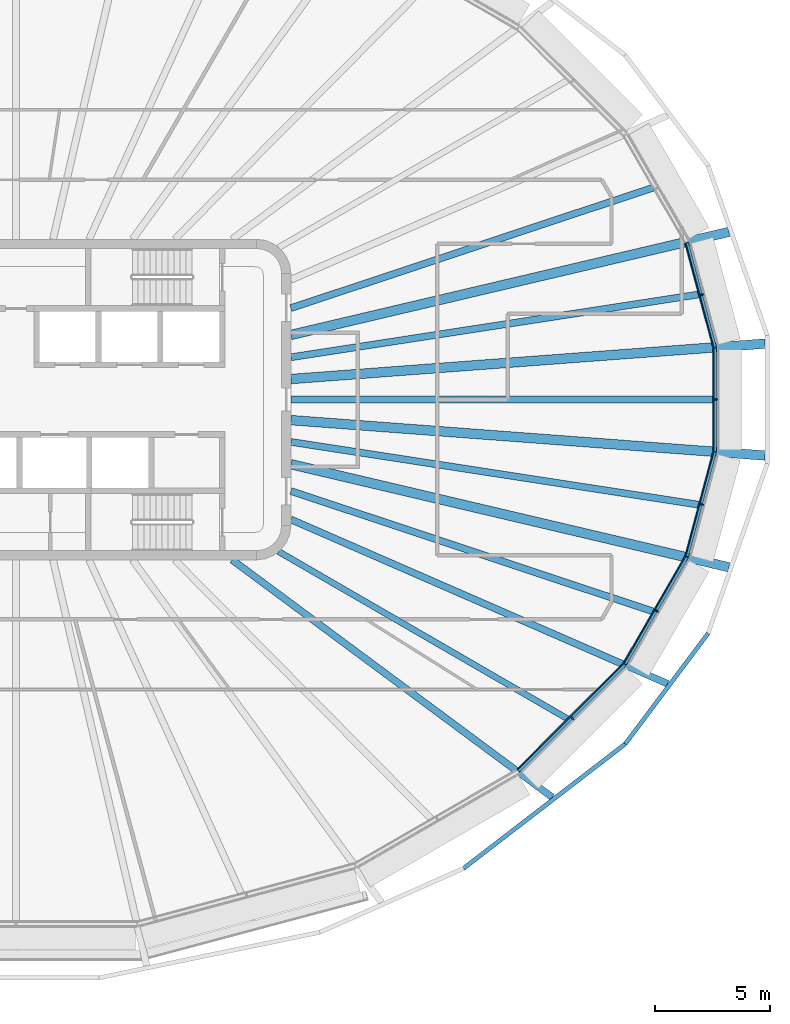
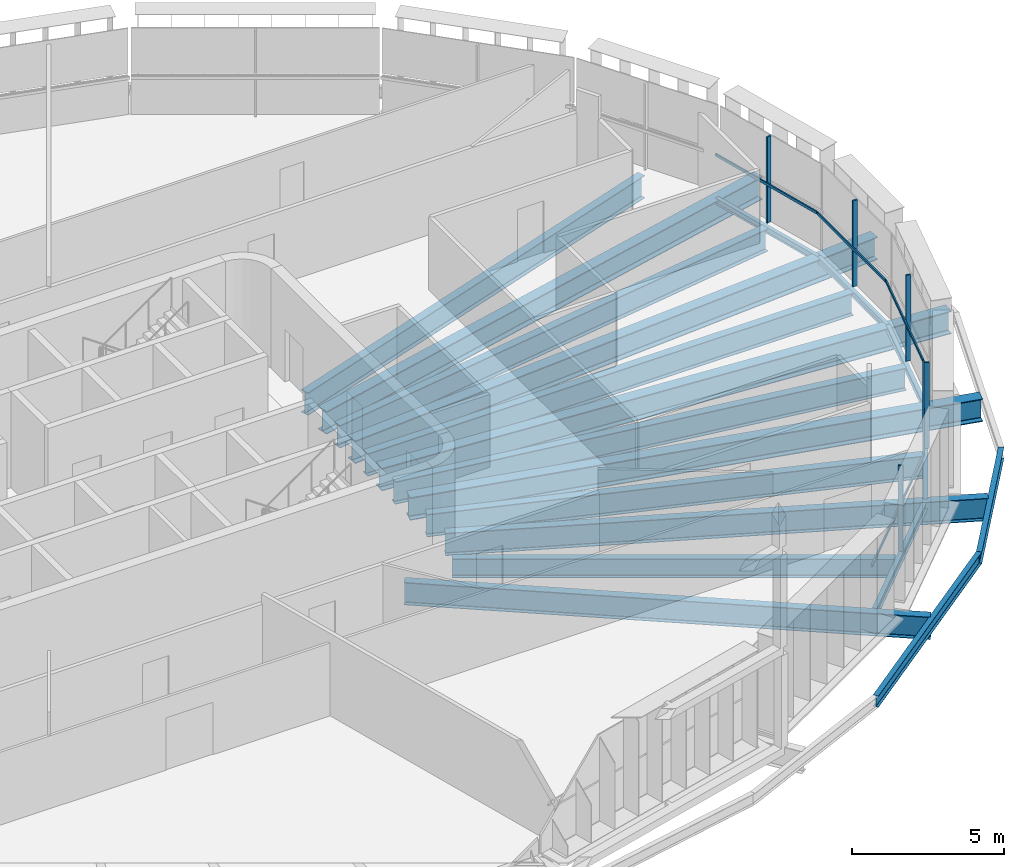
# One storey, part 4 of 20: 19 beams, 10 members, 5 elements without a shape of their own.
"""IFC4 building model written with IfcOpenShell, lengths in metres."""

from ifc_helpers import new_model, si_unit, direction, frame, origin, origin_2d, place, context, subcontext, project, spatial, rectangle, i_section, extrude, material, layer, layer_set, material_profile, profile_set, type_object, element, aggregate, save


model = new_model("IFC4")

# Units and contexts
model_context = context("Model", 3, precision=1e-05, world=origin(), true_north=direction((0.0, 1.0)))
body_context = subcontext(model_context, "Body", "Model", "MODEL_VIEW")
ifc_project = project(units=[si_unit("LENGTHUNIT", "METRE"), si_unit("AREAUNIT", "SQUARE_METRE"), si_unit("VOLUMEUNIT", "CUBIC_METRE"), si_unit("PLANEANGLEUNIT", "RADIAN"), si_unit("MASSUNIT", "GRAM", prefix="KILO")], contexts=[model_context])

# Site, building, storey
site_placement = place(None, origin())
site = spatial("IfcSite", under=ifc_project, at=site_placement, CompositionType="ELEMENT")
building_placement = place(site_placement, origin())
building = spatial("IfcBuilding", under=site, at=building_placement, Name="Sahrelin Media Tower", CompositionType="ELEMENT")
storey_placement = place(building_placement, frame((0.0, 0.0, 209.60009765625)))
storey = spatial("IfcBuildingStorey", under=building, at=storey_placement, Name="L44", CompositionType="ELEMENT", Elevation=209.60009765625)

# Beams
ifc_material_1 = material(Name="Steel S355", Category="steel")
ifc_material_profile_1 = material_profile(ifc_material_1, i_section(OverallWidth=0.14599609375, OverallDepth=0.25146484375, WebThickness=0.006103515625, FlangeThickness=0.008544921875, FilletRadius=0.007568359375, at=origin_2d()), Name="UB 254x146x31")
ifc_profile_set_1 = profile_set([ifc_material_profile_1], Name="Steel S355")
beam_type_1 = type_object("IfcBeamType", Name="Edge beam EB1", PredefinedType="BEAM", material=ifc_profile_set_1)
beam_1_placement = place(storey_placement, frame((30.515380859375, 2.257080078125, -0.27587890625), z_axis=(0.0, -1.0, 0.0), x_axis=(1.0, 0.0, 0.0)))
element("IfcBeam", 1, at=beam_1_placement, inside=storey, type_object=beam_type_1, Name="Edge beam L44-01", PredefinedType="BEAM", context=body_context, shape_type="SweptSolid", body=[
    extrude(i_section(OverallWidth=0.14599609375, OverallDepth=0.25146484375, WebThickness=0.006103515625, FlangeThickness=0.008544921875, FilletRadius=0.007568359375, at=origin_2d()), origin(), (0.0, 0.0, 1.0), 4.51416015625),
])
for number, where, z_axis, x_axis, name in (
    (2, (30.511474609375, -2.28564453125, -0.27587890625), (-0.258807552286, -0.965928905707, 0.0), (0.965928905707, -0.258807552286, 0.0), "Edge beam L44-02"),
    (3, (29.288818359375, 6.848876953125, -0.27587890625), (0.258807552286, -0.965928905707, 0.0), (0.965928905707, 0.258807552286, 0.0), "Edge beam L44-24"),
):
    element("IfcBeam", number, at=place(storey_placement, frame(where, z_axis=z_axis, x_axis=x_axis)), inside=storey, type_object=beam_type_1, Name=name, PredefinedType="BEAM", context=body_context, shape_type="SweptSolid", body=[
        extrude(i_section(OverallWidth=0.14599609375, OverallDepth=0.25146484375, WebThickness=0.006103515625, FlangeThickness=0.008544921875, FilletRadius=0.007568359375, at=origin_2d()), origin(), (0.0, 0.0, 1.0), 4.72412109375),
    ])
ifc_material_profile_2 = material_profile(ifc_material_1, i_section(OverallWidth=0.1650390625, OverallDepth=0.303466796875, WebThickness=0.006103515625, FlangeThickness=0.01025390625, FilletRadius=0.0087890625, at=origin_2d()), Name="UB 305x165x40")
ifc_profile_set_2 = profile_set([ifc_material_profile_2], Name="Steel S355")
beam_type_2 = type_object("IfcBeamType", Name="Edge beam EB2", PredefinedType="BEAM", material=ifc_profile_set_2)
beam_2_placement = place(storey_placement, frame((29.27783203125, -6.87548828125, -0.3017578125), z_axis=(-0.500001105423, -0.866024765567, 0.0), x_axis=(0.866024765567, -0.500001105423, 0.0)))
element("IfcBeam", 4, at=beam_2_placement, inside=storey, type_object=beam_type_2, Name="Edge beam L44-03", PredefinedType="BEAM", context=body_context, shape_type="SweptSolid", body=[
    extrude(i_section(OverallWidth=0.1650390625, OverallDepth=0.303466796875, WebThickness=0.006103515625, FlangeThickness=0.01025390625, FilletRadius=0.0087890625, at=origin_2d()), origin(), (0.0, 0.0, 1.0), 5.384765625),
])
ifc_material_profile_3 = material_profile(ifc_material_1, i_section(OverallWidth=0.17138671875, OverallDepth=0.35498046875, WebThickness=0.00732421875, FlangeThickness=0.011474609375, FilletRadius=0.01025390625, at=origin_2d()), Name="UB 356x171x51")
ifc_profile_set_3 = profile_set([ifc_material_profile_3], Name="Steel S355")
beam_type_3 = type_object("IfcBeamType", Name="Edge beam EB3", PredefinedType="BEAM", material=ifc_profile_set_3)
beam_3_placement = place(storey_placement, frame((26.568115234375, -11.5615234375, -0.32763671875), z_axis=(-0.707106781187, -0.707106781187, 0.0), x_axis=(0.707106781187, -0.707106781187, 0.0)))
element("IfcBeam", 5, at=beam_3_placement, inside=storey, type_object=beam_type_3, Name="Edge beam L44-04", PredefinedType="BEAM", context=body_context, shape_type="SweptSolid", body=[
    extrude(i_section(OverallWidth=0.17138671875, OverallDepth=0.35498046875, WebThickness=0.00732421875, FlangeThickness=0.011474609375, FilletRadius=0.01025390625, at=origin_2d()), origin(), (0.0, 0.0, 1.0), 6.556396484375),
])

# Curtain wall, member
ifc_material_2 = material(Name="Champagne anodised aluminium 6063-T6", Category="aluminium")
ifc_layer = layer(ifc_material_2, 0.14990234375)
ifc_layer_set = layer_set([ifc_layer], Name="Tower ribbon curtain wall")
curtain_wall_type = type_object("IfcCurtainWallType", Name="Tower ribbon curtain wall", PredefinedType="NOTDEFINED", material=ifc_layer_set)
curtain_wall_1_placement = place(storey_placement, frame((30.665283203125, 0.0, 0.0), z_axis=(0.0, 0.0, 1.0), x_axis=(1.0, 0.0, 0.0)))
curtain_wall_1 = element("IfcCurtainWall", 6, at=curtain_wall_1_placement, inside=storey, type_object=curtain_wall_type, Name="L44:CW:L44-00", PredefinedType="NOTDEFINED")
ifc_material_profile_4 = material_profile(ifc_material_2, rectangle(XDim=0.06005859375, YDim=0.175048828125, at=origin_2d()), Name="Mullion 60x175")
ifc_profile_set_4 = profile_set([ifc_material_profile_4], Name="Champagne anodised aluminium 6063-T6")
member_type_1 = type_object("IfcMemberType", Name="Mullion 60x175 CW1B", PredefinedType="MULLION", material=ifc_profile_set_4)
member_1_placement = place(storey_placement, frame((30.557861328125, 0.0, 0.0), z_axis=(0.0, 0.0, 1.0), x_axis=(0.0, 1.0, 0.0)))
member_1 = element("IfcMember", 7, at=member_1_placement, type_object=member_type_1, Name="L44:CWM:L44-00", PredefinedType="MULLION", context=body_context, shape_type="SweptSolid", body=[
    extrude(rectangle(XDim=0.06005859375, YDim=0.175048828125, at=origin_2d()), origin(), (0.0, 0.0, 1.0), 3.448486328125),
])

curtain_wall_2_placement = place(storey_placement, frame((30.045166015625, 4.606201171875, 0.0), z_axis=(0.0, 0.0, 1.0), x_axis=(1.0, 0.0, 0.0)))
curtain_wall_2 = element("IfcCurtainWall", 8, at=curtain_wall_2_placement, inside=storey, type_object=curtain_wall_type, Name="L44:CW:L44-01", PredefinedType="NOTDEFINED")
member_2_placement = place(storey_placement, frame((29.94140625, 4.578369140625, 0.0), z_axis=(0.0, 0.0, 1.0), x_axis=(-0.2588106158, 0.965928084875, 0.0)))
member_2 = element("IfcMember", 9, at=member_2_placement, type_object=member_type_1, Name="L44:CWM:L44-01", PredefinedType="MULLION", context=body_context, shape_type="SweptSolid", body=[
    extrude(rectangle(XDim=0.06005859375, YDim=0.175048828125, at=origin_2d()), origin(), (0.0, 0.0, 1.0), 3.448486328125),
])

curtain_wall_3_placement = place(storey_placement, frame((24.356201171875, -13.985595703125, 0.0), z_axis=(0.0, 0.0, 1.0), x_axis=(1.0, 0.0, 0.0)))
curtain_wall_3 = element("IfcCurtainWall", 10, at=curtain_wall_3_placement, inside=storey, type_object=curtain_wall_type, Name="L44:CW:L44-21", PredefinedType="NOTDEFINED")
member_3_placement = place(storey_placement, frame((24.280029296875, -13.90966796875, 0.0), z_axis=(0.0, 0.0, 1.0), x_axis=(0.707106781187, 0.707106781187, 0.0)))
member_3 = element("IfcMember", 11, at=member_3_placement, type_object=member_type_1, Name="L44:CWM:L44-21", PredefinedType="MULLION", context=body_context, shape_type="SweptSolid", body=[
    extrude(rectangle(XDim=0.06005859375, YDim=0.175048828125, at=origin_2d()), origin(), (0.0, 0.0, 1.0), 3.448486328125),
])

curtain_wall_4_placement = place(storey_placement, frame((28.0615234375, -9.281982421875, 0.0), z_axis=(0.0, 0.0, 1.0), x_axis=(1.0, 0.0, 0.0)))
curtain_wall_4 = element("IfcCurtainWall", 12, at=curtain_wall_4_placement, inside=storey, type_object=curtain_wall_type, Name="L44:CW:L44-22", PredefinedType="NOTDEFINED")
member_4_placement = place(storey_placement, frame((27.968505859375, -9.228271484375, 0.0), z_axis=(0.0, 0.0, 1.0), x_axis=(0.500001511499, 0.866024531118, 0.0)))
member_4 = element("IfcMember", 13, at=member_4_placement, type_object=member_type_1, Name="L44:CWM:L44-22", PredefinedType="MULLION", context=body_context, shape_type="SweptSolid", body=[
    extrude(rectangle(XDim=0.06005859375, YDim=0.175048828125, at=origin_2d()), origin(), (0.0, 0.0, 1.0), 3.448486328125),
])

curtain_wall_5_placement = place(storey_placement, frame((30.045166015625, -4.606201171875, 0.0), z_axis=(0.0, 0.0, 1.0), x_axis=(1.0, 0.0, 0.0)))
curtain_wall_5 = element("IfcCurtainWall", 14, at=curtain_wall_5_placement, inside=storey, type_object=curtain_wall_type, Name="L44:CW:L44-23", PredefinedType="NOTDEFINED")
member_5_placement = place(storey_placement, frame((29.94140625, -4.578369140625, 0.0), z_axis=(0.0, 0.0, 1.0), x_axis=(0.2588106158, 0.965928084875, 0.0)))
member_5 = element("IfcMember", 15, at=member_5_placement, type_object=member_type_1, Name="L44:CWM:L44-23", PredefinedType="MULLION", context=body_context, shape_type="SweptSolid", body=[
    extrude(rectangle(XDim=0.06005859375, YDim=0.175048828125, at=origin_2d()), origin(), (0.0, 0.0, 1.0), 3.448486328125),
])

# Beams
ifc_material_profile_5 = material_profile(ifc_material_1, i_section(OverallWidth=0.30322265625, OverallDepth=0.903076171875, WebThickness=0.01513671875, FlangeThickness=0.020263671875, FilletRadius=0.01904296875, at=origin_2d()), Name="UB 914x305x201")
ifc_profile_set_5 = profile_set([ifc_material_profile_5], Name="Steel S355")
beam_type_4 = type_object("IfcBeamType", Name="Radial primary beam PB11", PredefinedType="BEAM", material=ifc_profile_set_5)
beam_4_placement = place(storey_placement, frame((9.437744140625, -7.0, -0.6015625), z_axis=(0.803188973655, -0.595724326009, 0.0), x_axis=(0.595724326009, 0.803188973655, 0.0)))
element("IfcBeam", 16, at=beam_4_placement, inside=storey, type_object=beam_type_4, Name="Radial beam L44-21", PredefinedType="BEAM", context=body_context, shape_type="SweptSolid", body=[
    extrude(i_section(OverallWidth=0.30322265625, OverallDepth=0.903076171875, WebThickness=0.01513671875, FlangeThickness=0.020263671875, FilletRadius=0.01904296875, at=origin_2d()), origin(), (0.0, 0.0, 1.0), 17.40234375),
])
beam_5_placement = place(storey_placement, frame((12.0, -5.2333984375, -0.6015625), z_axis=(0.91662503757, -0.399748096305, 0.0), x_axis=(0.399748096305, 0.91662503757, 0.0)))
element("IfcBeam", 17, at=beam_5_placement, inside=storey, type_object=beam_type_4, Name="Radial beam L44-22", PredefinedType="BEAM", context=body_context, shape_type="SweptSolid", body=[
    extrude(i_section(OverallWidth=0.30322265625, OverallDepth=0.903076171875, WebThickness=0.01513671875, FlangeThickness=0.020263671875, FilletRadius=0.01904296875, at=origin_2d()), origin(), (0.0, 0.0, 1.0), 17.946533203125),
])
ifc_material_profile_6 = material_profile(ifc_material_1, i_section(OverallWidth=0.41845703125, OverallDepth=0.911865234375, WebThickness=0.019287109375, FlangeThickness=0.031982421875, FilletRadius=0.024169921875, at=origin_2d()), Name="UB 914x419x343")
ifc_profile_set_6 = profile_set([ifc_material_profile_6], Name="Steel S355")
beam_type_5 = type_object("IfcBeamType", Name="Radial primary beam PB12", PredefinedType="BEAM", material=ifc_profile_set_6)
beam_6_placement = place(storey_placement, frame((12.0, 0.896728515625, -0.60595703125), z_axis=(0.997220359626, 0.074508753495, 0.0), x_axis=(-0.074508753495, 0.997220359626, 0.0)))
element("IfcBeam", 18, at=beam_6_placement, inside=storey, type_object=beam_type_5, Name="Radial beam L44-01", PredefinedType="BEAM", context=body_context, shape_type="SweptSolid", body=[
    extrude(i_section(OverallWidth=0.41845703125, OverallDepth=0.911865234375, WebThickness=0.019287109375, FlangeThickness=0.031982421875, FilletRadius=0.024169921875, at=origin_2d()), origin(), (0.0, 0.0, 1.0), 20.76416015625),
])
for number, where, z_axis, x_axis, name in (
    (19, (12.0, 2.822509765625, -0.60595703125), (0.973438188947, 0.228949977722, 0.0), (-0.228949977722, 0.973438188947, 0.0), "Radial beam L44-02"),
    (20, (12.0, -2.822509765625, -0.60595703125), (0.973438188947, -0.228949977722, 0.0), (0.228949977722, 0.973438188947, 0.0), "Radial beam L44-23"),
):
    element("IfcBeam", number, at=place(storey_placement, frame(where, z_axis=z_axis, x_axis=x_axis)), inside=storey, type_object=beam_type_5, Name=name, PredefinedType="BEAM", context=body_context, shape_type="SweptSolid", body=[
        extrude(i_section(OverallWidth=0.41845703125, OverallDepth=0.911865234375, WebThickness=0.019287109375, FlangeThickness=0.031982421875, FilletRadius=0.024169921875, at=origin_2d()), origin(), (0.0, 0.0, 1.0), 19.645263671875),
    ])
beam_7_placement = place(storey_placement, frame((12.0, -0.896728515625, -0.60595703125), z_axis=(0.997220359626, -0.074508753495, 0.0), x_axis=(0.074508753495, 0.997220359626, 0.0)))
element("IfcBeam", 21, at=beam_7_placement, inside=storey, type_object=beam_type_5, Name="Radial beam L44-24", PredefinedType="BEAM", context=body_context, shape_type="SweptSolid", body=[
    extrude(i_section(OverallWidth=0.41845703125, OverallDepth=0.911865234375, WebThickness=0.019287109375, FlangeThickness=0.031982421875, FilletRadius=0.024169921875, at=origin_2d()), origin(), (0.0, 0.0, 1.0), 20.76416015625),
])
ifc_material_profile_7 = material_profile(ifc_material_1, i_section(OverallWidth=0.30322265625, OverallDepth=0.903076171875, WebThickness=0.01513671875, FlangeThickness=0.020263671875, FilletRadius=0.01904296875, at=origin_2d()), Name="UB 914x305x201")
ifc_profile_set_7 = profile_set([ifc_material_profile_7], Name="Steel S355")
beam_type_6 = type_object("IfcBeamType", Name="Radial secondary beam SB11", PredefinedType="BEAM", material=ifc_profile_set_7)
beam_8_placement = place(storey_placement, frame((12.0, 1.847900390625, -0.6015625), z_axis=(0.988349612684, 0.152200667237, 0.0), x_axis=(-0.152200667237, 0.988349612684, 0.0)))
element("IfcBeam", 22, at=beam_8_placement, inside=storey, type_object=beam_type_6, Name="Secondary beam L44-01", PredefinedType="BEAM", context=body_context, shape_type="SweptSolid", body=[
    extrude(i_section(OverallWidth=0.30322265625, OverallDepth=0.903076171875, WebThickness=0.01513671875, FlangeThickness=0.020263671875, FilletRadius=0.01904296875, at=origin_2d()), origin(), (0.0, 0.0, 1.0), 18.028076171875),
])
for number, where, z_axis, x_axis, name in (
    (23, (12.0, 3.99169921875, -0.6015625), (0.948882374711, 0.315629908218, 0.0), (-0.315629908218, 0.948882374711, 0.0), "Secondary beam L44-02"),
    (24, (12.0, -3.99169921875, -0.6015625), (0.948882374711, -0.315629908218, 0.0), (0.315629908218, 0.948882374711, 0.0), "Secondary beam L44-22"),
):
    element("IfcBeam", number, at=place(storey_placement, frame(where, z_axis=z_axis, x_axis=x_axis)), inside=storey, type_object=beam_type_6, Name=name, PredefinedType="BEAM", context=body_context, shape_type="SweptSolid", body=[
        extrude(i_section(OverallWidth=0.30322265625, OverallDepth=0.903076171875, WebThickness=0.01513671875, FlangeThickness=0.020263671875, FilletRadius=0.01904296875, at=origin_2d()), origin(), (0.0, 0.0, 1.0), 16.662841796875),
    ])
beam_9_placement = place(storey_placement, frame((12.0, -1.847900390625, -0.6015625), z_axis=(0.988349612684, -0.152200667237, 0.0), x_axis=(0.152200667237, 0.988349612684, 0.0)))
element("IfcBeam", 25, at=beam_9_placement, inside=storey, type_object=beam_type_6, Name="Secondary beam L44-23", PredefinedType="BEAM", context=body_context, shape_type="SweptSolid", body=[
    extrude(i_section(OverallWidth=0.30322265625, OverallDepth=0.903076171875, WebThickness=0.01513671875, FlangeThickness=0.020263671875, FilletRadius=0.01904296875, at=origin_2d()), origin(), (0.0, 0.0, 1.0), 18.028076171875),
])
beam_10_placement = place(storey_placement, frame((12.0, 0.0, -0.6015625), z_axis=(1.0, 0.0, 0.0), x_axis=(0.0, 1.0, 0.0)))
element("IfcBeam", 26, at=beam_10_placement, inside=storey, type_object=beam_type_6, Name="Secondary beam L44-24", PredefinedType="BEAM", context=body_context, shape_type="SweptSolid", body=[
    extrude(i_section(OverallWidth=0.30322265625, OverallDepth=0.903076171875, WebThickness=0.01513671875, FlangeThickness=0.020263671875, FilletRadius=0.01904296875, at=origin_2d()), origin(), (0.0, 0.0, 1.0), 18.4423828125),
])
ifc_material_profile_8 = material_profile(ifc_material_1, i_section(OverallWidth=0.26513671875, OverallDepth=0.75390625, WebThickness=0.0126953125, FlangeThickness=0.017578125, FilletRadius=0.0166015625, at=origin_2d()), Name="UB 762x267x147")
ifc_profile_set_8 = profile_set([ifc_material_profile_8], Name="Steel S355")
beam_type_7 = type_object("IfcBeamType", Name="Radial secondary beam SB9", PredefinedType="BEAM", material=ifc_profile_set_8)
beam_11_placement = place(storey_placement, frame((11.46337890625, -6.63525390625, -0.527099609375), z_axis=(0.865468345638, -0.500963614146, 0.0), x_axis=(0.500963614146, 0.865468345638, 0.0)))
element("IfcBeam", 27, at=beam_11_placement, inside=storey, type_object=beam_type_7, Name="Secondary beam L44-21", PredefinedType="BEAM", context=body_context, shape_type="SweptSolid", body=[
    extrude(i_section(OverallWidth=0.26513671875, OverallDepth=0.75390625, WebThickness=0.0126953125, FlangeThickness=0.017578125, FilletRadius=0.0166015625, at=origin_2d()), origin(), (0.0, 0.0, 1.0), 14.570556640625),
])
ifc_material_profile_9 = material_profile(ifc_material_1, i_section(OverallWidth=0.1904296875, OverallDepth=0.45703125, WebThickness=0.009033203125, FlangeThickness=0.014404296875, FilletRadius=0.01025390625, at=origin_2d()), Name="UB 457x191x74")
ifc_profile_set_9 = profile_set([ifc_material_profile_9], Name="Steel S355")
beam_type_8 = type_object("IfcBeamType", Name="Tie chord TC5", PredefinedType="BEAM", material=ifc_profile_set_9)
beam_12_placement = place(storey_placement, frame((19.53955078125, -20.469970703125, -0.378662109375), z_axis=(0.792451681615, 0.609934695116, 0.0), x_axis=(-0.609934695116, 0.792451681615, 0.0)))
element("IfcBeam", 28, at=beam_12_placement, inside=storey, type_object=beam_type_8, Name="Tie chord L44-21", PredefinedType="BEAM", context=body_context, shape_type="SweptSolid", body=[
    extrude(i_section(OverallWidth=0.1904296875, OverallDepth=0.45703125, WebThickness=0.009033203125, FlangeThickness=0.014404296875, FilletRadius=0.01025390625, at=origin_2d()), origin(), (0.0, 0.0, 1.0), 8.9033203125),
])
beam_13_placement = place(storey_placement, frame((26.594970703125, -15.03955078125, -0.378662109375), z_axis=(0.600045270222, 0.799966045332, 0.0), x_axis=(-0.799966045332, 0.600045270222, 0.0)))
element("IfcBeam", 29, at=beam_13_placement, inside=storey, type_object=beam_type_8, Name="Tie chord L44-22", PredefinedType="BEAM", context=body_context, shape_type="SweptSolid", body=[
    extrude(i_section(OverallWidth=0.1904296875, OverallDepth=0.45703125, WebThickness=0.009033203125, FlangeThickness=0.014404296875, FilletRadius=0.01025390625, at=origin_2d()), origin(), (0.0, 0.0, 1.0), 6.0400390625),
])

# Member
ifc_material_profile_10 = material_profile(ifc_material_2, rectangle(XDim=0.050048828125, YDim=0.110107421875, at=origin_2d()), Name="Transom 50x110")
ifc_profile_set_10 = profile_set([ifc_material_profile_10], Name="Champagne anodised aluminium 6063-T6")
member_type_2 = type_object("IfcMemberType", Name="Transom 50x110 CW1B", PredefinedType="USERDEFINED", material=ifc_profile_set_10)
member_6_placement = place(storey_placement, frame((30.4453125, -2.241455078125, 1.599853515625), z_axis=(0.0, 1.0, 0.0), x_axis=(-1.0, 0.0, 0.0)))
member_6 = element("IfcMember", 30, at=member_6_placement, type_object=member_type_2, Name="L44:CWT:L44-00", ObjectType="TRANSOM", PredefinedType="USERDEFINED", context=body_context, shape_type="SweptSolid", body=[
    extrude(rectangle(XDim=0.050048828125, YDim=0.110107421875, at=origin_2d()), origin(), (0.0, 0.0, 1.0), 4.48291015625),
])

aggregate(curtain_wall_1, [member_1, member_6])

member_7_placement = place(storey_placement, frame((30.43994140625, 2.28271484375, 1.599853515625), z_axis=(-0.258818430801, 0.96592599089, 0.0), x_axis=(-0.96592599089, -0.258818430801, 0.0)))
member_7 = element("IfcMember", 31, at=member_7_placement, type_object=member_type_2, Name="L44:CWT:L44-01", ObjectType="TRANSOM", PredefinedType="USERDEFINED", context=body_context, shape_type="SweptSolid", body=[
    extrude(rectangle(XDim=0.050048828125, YDim=0.110107421875, at=origin_2d()), origin(), (0.0, 0.0, 1.0), 4.69287109375),
])

aggregate(curtain_wall_2, [member_2, member_7])

member_8_placement = place(storey_placement, frame((21.893798828125, -16.136962890625, 1.599853515625), z_axis=(0.707088071936, 0.707125489942, 0.0), x_axis=(-0.707125489942, 0.707088071936, 0.0)))
member_8 = element("IfcMember", 32, at=member_8_placement, type_object=member_type_2, Name="L44:CWT:L44-21", ObjectType="TRANSOM", PredefinedType="USERDEFINED", context=body_context, shape_type="SweptSolid", body=[
    extrude(rectangle(XDim=0.050048828125, YDim=0.110107421875, at=origin_2d()), origin(), (0.0, 0.0, 1.0), 6.524658203125),
])

aggregate(curtain_wall_3, [member_3, member_8])

member_9_placement = place(storey_placement, frame((26.53271484375, -11.489990234375, 1.599853515625), z_axis=(0.500023797175, 0.866011664043, 0.0), x_axis=(-0.866011664043, 0.500023797175, 0.0)))
member_9 = element("IfcMember", 33, at=member_9_placement, type_object=member_type_2, Name="L44:CWT:L44-22", ObjectType="TRANSOM", PredefinedType="USERDEFINED", context=body_context, shape_type="SweptSolid", body=[
    extrude(rectangle(XDim=0.050048828125, YDim=0.110107421875, at=origin_2d()), origin(), (0.0, 0.0, 1.0), 5.353271484375),
])

aggregate(curtain_wall_4, [member_4, member_9])

member_10_placement = place(storey_placement, frame((29.225341796875, -6.815673828125, 1.599853515625), z_axis=(0.258818430801, 0.96592599089, 0.0), x_axis=(-0.96592599089, 0.258818430801, 0.0)))
member_10 = element("IfcMember", 34, at=member_10_placement, type_object=member_type_2, Name="L44:CWT:L44-23", ObjectType="TRANSOM", PredefinedType="USERDEFINED", context=body_context, shape_type="SweptSolid", body=[
    extrude(rectangle(XDim=0.050048828125, YDim=0.110107421875, at=origin_2d()), origin(), (0.0, 0.0, 1.0), 4.69287109375),
])

aggregate(curtain_wall_5, [member_5, member_10])

save(model, "model.ifc")
